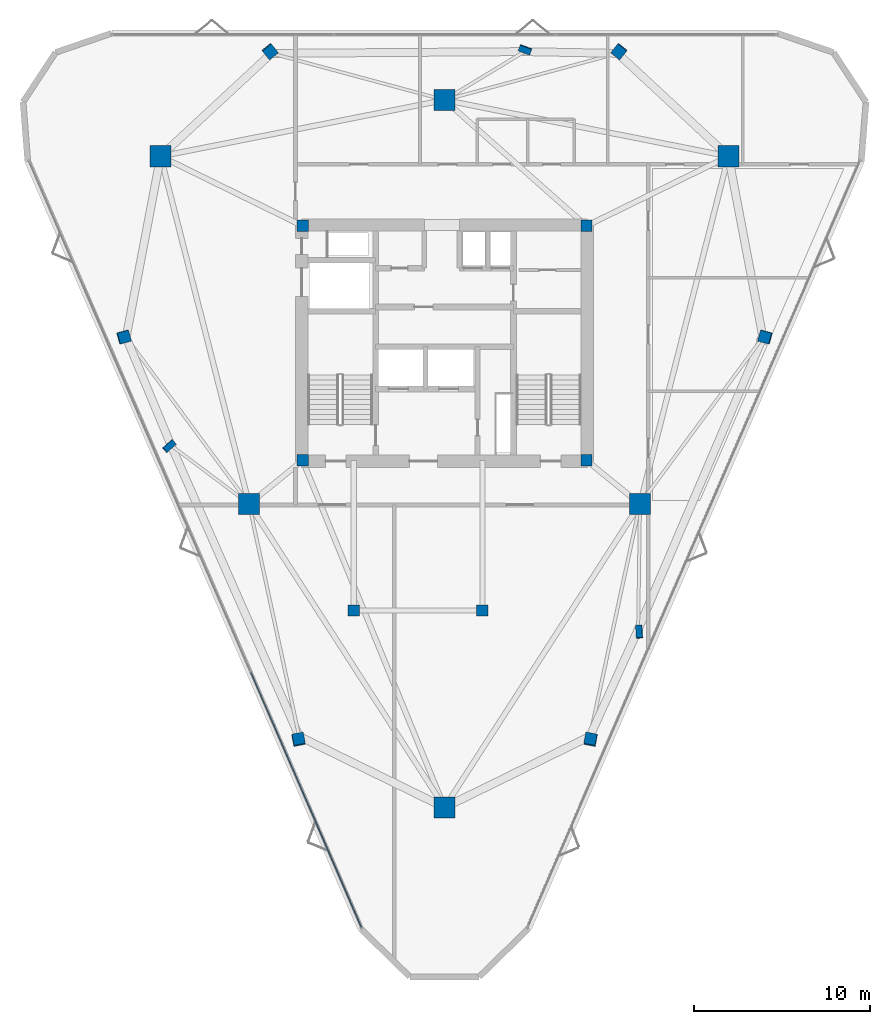
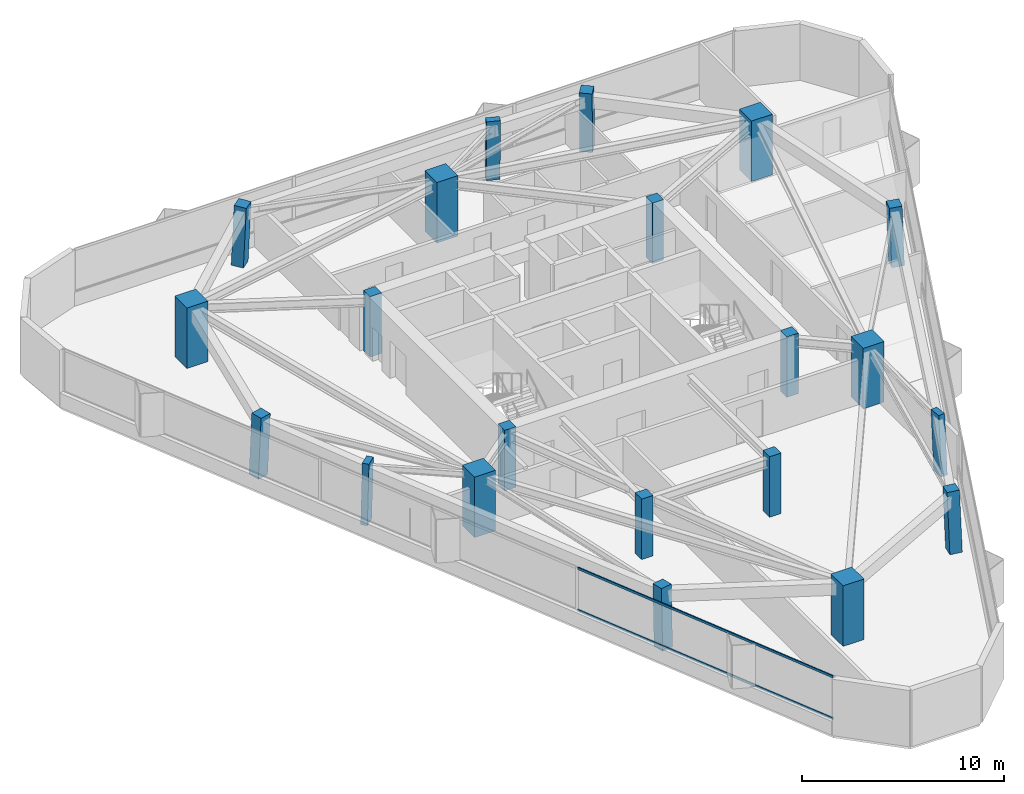
# One storey, part 1 of 11: 21 columns, 2 members, 1 element without a shape of its own.
"""IFC4 building model written with IfcOpenShell, lengths in metres."""

from ifc_helpers import new_model, si_unit, direction, frame, origin, origin_2d, place, context, subcontext, project, spatial, rectangle, extrude, material, layer, layer_set, material_profile, profile_set, type_object, element, aggregate, save


model = new_model("IFC4")

# Units and contexts
model_context = context("Model", 3, precision=1e-05, world=origin(), true_north=direction((0.0, 1.0)))
body_context = subcontext(model_context, "Body", "Model", "MODEL_VIEW")
ifc_project = project(units=[si_unit("LENGTHUNIT", "METRE"), si_unit("AREAUNIT", "SQUARE_METRE"), si_unit("VOLUMEUNIT", "CUBIC_METRE"), si_unit("PLANEANGLEUNIT", "RADIAN"), si_unit("MASSUNIT", "GRAM", prefix="KILO")], contexts=[model_context])

# Site, building, storey
site_placement = place(None, origin())
site = spatial("IfcSite", under=ifc_project, at=site_placement, CompositionType="ELEMENT")
building_placement = place(site_placement, origin())
building = spatial("IfcBuilding", under=site, at=building_placement, Name="Talyreon Biosciences Tower", CompositionType="ELEMENT")
storey_placement = place(building_placement, frame((0.0, 0.0, 235.25)))
storey = spatial("IfcBuildingStorey", under=building, at=storey_placement, Name="L62", CompositionType="ELEMENT", Elevation=235.25)

# Columns
ifc_material_1 = material(Name="Precast concrete C45/55", Category="concrete")
ifc_material_profile_1 = material_profile(ifc_material_1, rectangle(XDim=0.699951171875, YDim=0.35009765625, at=origin_2d()), Name="RC 700x350")
ifc_profile_set_1 = profile_set([ifc_material_profile_1], Name="Precast concrete C45/55")
column_type_1 = type_object("IfcColumnType", Name="FacadePilaster_700x350", PredefinedType="PILASTER", material=ifc_profile_set_1)
column_1_placement = place(storey_placement, frame((77.04931640625, 51.614501953125, 0.0029296875), z_axis=(-0.019611953815, 0.038353752683, 0.999071749637), x_axis=(0.062988946925, -0.997231464918, 0.039519589364)))
element("IfcColumn", 1, at=column_1_placement, inside=storey, type_object=column_type_1, Name="L62 Facade Pilaster PL-SE", PredefinedType="PILASTER", context=body_context, shape_type="SweptSolid", body=[
    extrude(rectangle(XDim=0.699951171875, YDim=0.35009765625, at=origin_2d()), origin(), (0.0, 0.0, 1.0), 3.6474609375),
])
column_2_placement = place(storey_placement, frame((70.57373046875, 84.656982421875, 0.0029296875), z_axis=(-0.01238655289, -0.033544124313, 0.999360478022), x_axis=(-0.9380871136, 0.346399433166, 0.0)))
element("IfcColumn", 2, at=column_2_placement, inside=storey, type_object=column_type_1, Name="L62 Facade Pilaster PL-N", PredefinedType="PILASTER", context=body_context, shape_type="SweptSolid", body=[
    extrude(rectangle(XDim=0.699951171875, YDim=0.35009765625, at=origin_2d()), origin(), (0.0, 0.0, 1.0), 3.646484375),
])
column_3_placement = place(storey_placement, frame((50.376953125, 62.159423828125, 0.0029296875), z_axis=(0.032006454348, 0.010579539303, 0.999431668614), x_axis=(0.745678647608, 0.665587676083, -0.030925716627)))
element("IfcColumn", 3, at=column_3_placement, inside=storey, type_object=column_type_1, Name="L62 Facade Pilaster PL-SW", PredefinedType="PILASTER", context=body_context, shape_type="SweptSolid", body=[
    extrude(rectangle(XDim=0.699951171875, YDim=0.35009765625, at=origin_2d()), origin(), (0.0, 0.0, 1.0), 3.64599609375),
])
ifc_material_2 = material(Name="Concrete C50/60", Category="concrete")
ifc_material_profile_2 = material_profile(ifc_material_2, rectangle(XDim=1.199951171875, YDim=1.199951171875, at=origin_2d()), Name="RC 1200x1200")
ifc_profile_set_2 = profile_set([ifc_material_profile_2], Name="Concrete C50/60")
column_type_2 = type_object("IfcColumnType", Name="MegaColumn_1200", PredefinedType="COLUMN", material=ifc_profile_set_2)
for number, where, z_axis, x_axis, name in (
    (4, (66.0, 41.6669921875, 0.0), (0.0, 0.0, 1.0), (1.0, 0.0, 0.0), "L62 Composite Mega-Column MC1"),
    (5, (82.102294921875, 78.5986328125, 0.0), (0.0, 0.0, 1.0), (1.0, 0.0, 0.0), "L62 Composite Mega-Column MC2"),
    (6, (49.897705078125, 78.5986328125, 0.0), (0.0, 0.0, 1.0), (1.0, 0.0, 0.0), "L62 Composite Mega-Column MC3"),
    (7, (77.086181640625, 58.88037109375, 0.0), (0.0, 0.0, 1.0), (1.0, 0.0, 0.0), "L62 Composite Mega-Column MC4"),
    (8, (66.0, 81.788818359375, 0.0), (0.0, 0.0, 1.0), (1.0, 0.0, 0.0), "L62 Composite Mega-Column MC5"),
    (9, (54.913818359375, 58.88037109375, 0.0), (0.0, 0.0, 1.0), (1.0, 0.0, 0.0), "L62 Composite Mega-Column MC6"),
):
    element("IfcColumn", number, at=place(storey_placement, frame(where, z_axis=z_axis, x_axis=x_axis)), inside=storey, type_object=column_type_2, Name=name, PredefinedType="COLUMN", context=body_context, shape_type="SweptSolid", body=[
        extrude(rectangle(XDim=1.199951171875, YDim=1.199951171875, at=origin_2d()), origin(), (0.0, 0.0, 1.0), 3.64990234375),
    ])
ifc_material_profile_3 = material_profile(ifc_material_2, rectangle(XDim=0.64990234375, YDim=0.64990234375, at=origin_2d()), Name="RC 650x650")
ifc_profile_set_3 = profile_set([ifc_material_profile_3], Name="Concrete C50/60")
column_type_3 = type_object("IfcColumnType", Name="PerimeterColumn_650", PredefinedType="COLUMN", material=ifc_profile_set_3)
for number, where, z_axis, x_axis, name in (
    (10, (57.949951171875, 61.35009765625, 0.0), (0.0, 0.0, 1.0), (1.0, 0.0, 0.0), "L62 Core Column CC1"),
    (11, (74.050048828125, 61.35009765625, 0.0), (0.0, 0.0, 1.0), (1.0, 0.0, 0.0), "L62 Core Column CC2"),
    (12, (74.050048828125, 74.64990234375, 0.0), (0.0, 0.0, 1.0), (1.0, 0.0, 0.0), "L62 Core Column CC3"),
    (13, (57.949951171875, 74.64990234375, 0.0), (0.0, 0.0, 1.0), (1.0, 0.0, 0.0), "L62 Core Column CC4"),
    (14, (60.85009765625, 52.840087890625, 0.0), (0.0, 0.0, 1.0), (1.0, 0.0, 0.0), "L62 Core Column CSW"),
    (15, (68.14990234375, 52.840087890625, 0.0), (0.0, 0.0, 1.0), (1.0, 0.0, 0.0), "L62 Core Column CSE"),
):
    element("IfcColumn", number, at=place(storey_placement, frame(where, z_axis=z_axis, x_axis=x_axis)), inside=storey, type_object=column_type_3, Name=name, PredefinedType="COLUMN", context=body_context, shape_type="SweptSolid", body=[
        extrude(rectangle(XDim=0.64990234375, YDim=0.64990234375, at=origin_2d()), origin(), (0.0, 0.0, 1.0), 3.64990234375),
    ])
column_4_placement = place(storey_placement, frame((74.289306640625, 45.503173828125, 0.0029296875), z_axis=(-0.01230825877, 0.054450666514, 0.998440599977), x_axis=(-0.186182387983, -0.981179508634, 0.051214160568)))
element("IfcColumn", 16, at=column_4_placement, inside=storey, type_object=column_type_3, Name="L62 Tapering Perimeter Column PC-SE1", PredefinedType="COLUMN", context=body_context, shape_type="SweptSolid", body=[
    extrude(rectangle(XDim=0.64990234375, YDim=0.64990234375, at=origin_2d()), origin(), (0.0, 0.0, 1.0), 3.649658203125),
])
column_5_placement = place(storey_placement, frame((84.199462890625, 68.3505859375, 0.0029296875), z_axis=(-0.039229493406, -0.00569028488, 0.999214024874), x_axis=(0.964322388833, -0.262220935436, 0.036366350016)))
element("IfcColumn", 17, at=column_5_placement, inside=storey, type_object=column_type_3, Name="L62 Tapering Perimeter Column PC-SE2", PredefinedType="COLUMN", context=body_context, shape_type="SweptSolid", body=[
    extrude(rectangle(XDim=0.64990234375, YDim=0.64990234375, at=origin_2d()), origin(), (0.0, 0.0, 1.0), 3.64697265625),
])
for number, where, z_axis, x_axis, name in (
    (18, (75.909912109375, 84.556884765625, 0.0029296875), (-0.026841136432, -0.033467751162, 0.999079307676), (-0.780107149771, 0.625645934116, 0.0), "L62 Tapering Perimeter Column PC-N1"),
    (19, (56.090087890625, 84.556884765625, 0.0029296875), (0.026841136432, -0.033467751162, 0.999079307676), (-0.780107149771, -0.625645934116, 0.0), "L62 Tapering Perimeter Column PC-N2"),
):
    element("IfcColumn", number, at=place(storey_placement, frame(where, z_axis=z_axis, x_axis=x_axis)), inside=storey, type_object=column_type_3, Name=name, PredefinedType="COLUMN", context=body_context, shape_type="SweptSolid", body=[
        extrude(rectangle(XDim=0.64990234375, YDim=0.64990234375, at=origin_2d()), origin(), (0.0, 0.0, 1.0), 3.6474609375),
    ])
column_6_placement = place(storey_placement, frame((47.800537109375, 68.3505859375, 0.0029296875), z_axis=(0.039229493406, -0.00569028488, 0.999214024874), x_axis=(0.964322388833, 0.262220935436, -0.036366350016)))
element("IfcColumn", 20, at=column_6_placement, inside=storey, type_object=column_type_3, Name="L62 Tapering Perimeter Column PC-SW1", PredefinedType="COLUMN", context=body_context, shape_type="SweptSolid", body=[
    extrude(rectangle(XDim=0.64990234375, YDim=0.64990234375, at=origin_2d()), origin(), (0.0, 0.0, 1.0), 3.64697265625),
])
column_7_placement = place(storey_placement, frame((57.710693359375, 45.503173828125, 0.0029296875), z_axis=(0.01230825877, 0.054450666514, 0.998440599977), x_axis=(-0.186182387983, 0.981179508634, -0.051214160568)))
element("IfcColumn", 21, at=column_7_placement, inside=storey, type_object=column_type_3, Name="L62 Tapering Perimeter Column PC-SW2", PredefinedType="COLUMN", context=body_context, shape_type="SweptSolid", body=[
    extrude(rectangle(XDim=0.64990234375, YDim=0.64990234375, at=origin_2d()), origin(), (0.0, 0.0, 1.0), 3.649658203125),
])

# Curtain wall, members
ifc_material_3 = material(Name="Thermally broken aluminium and low-E glazing", Category="aluminium")
ifc_layer = layer(ifc_material_3, 0.175048828125)
ifc_layer_set = layer_set([ifc_layer], Name="Thermally broken aluminium and low-E glazing")
curtain_wall_type = type_object("IfcCurtainWallType", Name="CurtainWall_Zone5CompLab", PredefinedType="NOTDEFINED", material=ifc_layer_set)
curtain_wall_placement = place(storey_placement, origin())
curtain_wall = element("IfcCurtainWall", 22, at=curtain_wall_placement, inside=storey, type_object=curtain_wall_type, Name="L62 Unitised Curtain Wall FCW-L62-00", PredefinedType="NOTDEFINED")
ifc_material_4 = material(Name="Anodised thermally broken aluminium", Category="aluminium")
ifc_material_profile_4 = material_profile(ifc_material_4, rectangle(XDim=0.06494140625, YDim=0.139892578125, at=origin_2d()), Name="ALUM TRANSOM 65x140")
ifc_profile_set_4 = profile_set([ifc_material_profile_4], Name="Anodised thermally broken aluminium")
member_type = type_object("IfcMemberType", Name="CWTransom_65x140", PredefinedType="USERDEFINED", material=ifc_profile_set_4)
member_1_placement = place(storey_placement, frame((61.27685546875, 34.892333984375, 0.842529296875), z_axis=(-0.397835044798, 0.917456962004, 0.0), x_axis=(-0.917456962004, -0.397835044798, 0.0)))
member_1 = element("IfcMember", 23, at=member_1_placement, type_object=member_type, Name="CW6 transom 1.1", ObjectType="TRANSOM", PredefinedType="USERDEFINED", context=body_context, shape_type="SweptSolid", body=[
    extrude(rectangle(XDim=0.06494140625, YDim=0.139892578125, at=origin_2d()), origin(), (0.0, 0.0, 1.0), 15.71240234375),
])
member_2_placement = place(storey_placement, frame((61.27685546875, 34.892333984375, 3.367431640625), z_axis=(-0.397835044798, 0.917456962004, 0.0), x_axis=(-0.917456962004, -0.397835044798, 0.0)))
member_2 = element("IfcMember", 24, at=member_2_placement, type_object=member_type, Name="CW6 transom 1.2", ObjectType="TRANSOM", PredefinedType="USERDEFINED", context=body_context, shape_type="SweptSolid", body=[
    extrude(rectangle(XDim=0.06494140625, YDim=0.139892578125, at=origin_2d()), origin(), (0.0, 0.0, 1.0), 15.71240234375),
])
aggregate(curtain_wall, [member_1, member_2])

save(model, "model.ifc")
